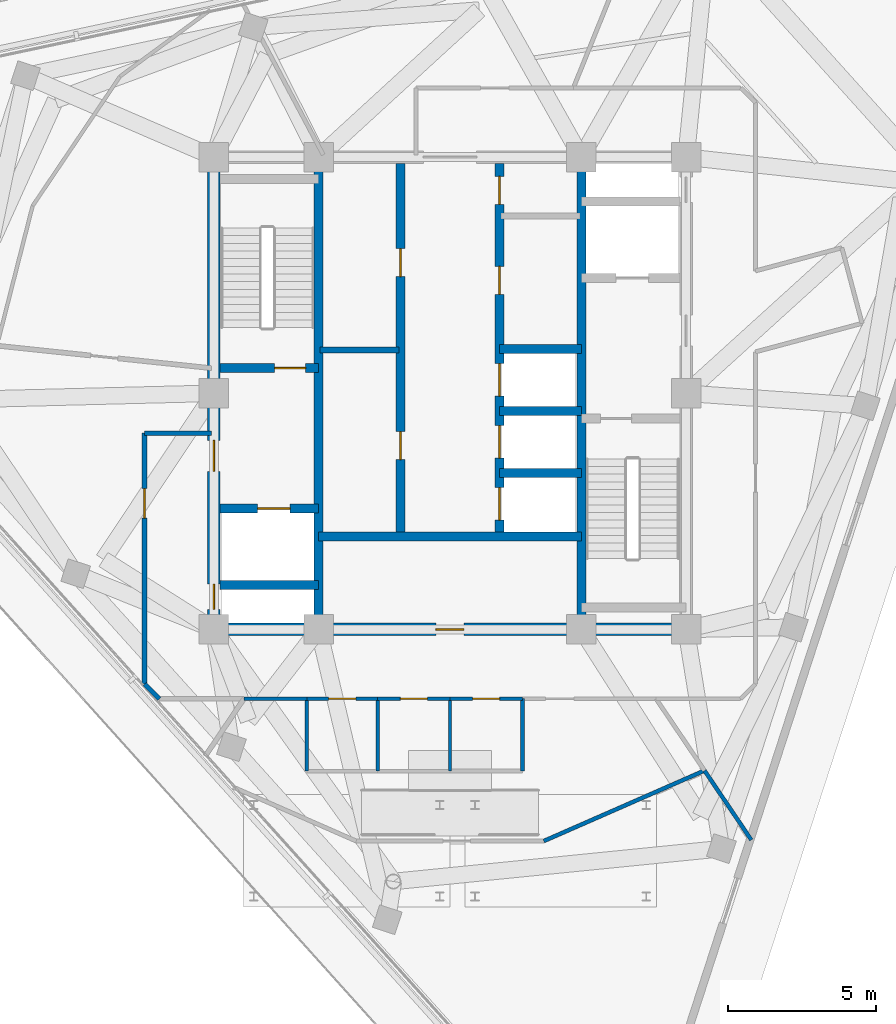
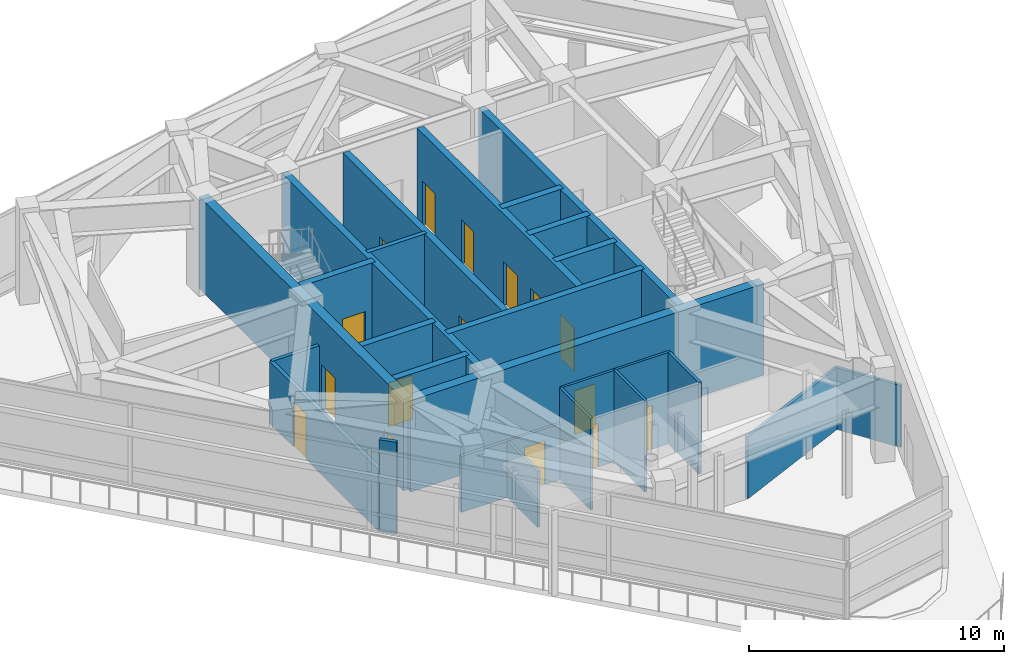
# One storey, part 9 of 15: 27 walls, 16 doors, 16 openings.
"""IFC4 building model written with IfcOpenShell, lengths in metres."""

import ifcopenshell
import ifcopenshell.guid

model = None  # the IFC model being written
_history = None  # IfcOwnerHistory: only IFC2X3 demands one
_inside = {}  # id of a spatial element -> (the spatial element, [elements in it])
_under = {}  # id of a project, library or spatial element -> (it, [spatial elements below it])
_declared = {}  # id of a project -> (the project, [libraries it declares])
_typed = {}  # id of a type object -> (the type object, [elements of that type])
_made_of = {}  # id of a material, layer set ... -> (it, [elements and type objects made of it])


def new_model(schema):
    """Start an empty IFC model of exactly this schema.

    Asked for "IFC4X3", IfcOpenShell would pick the latest addendum, in which some entities
    have other attributes; the version numbers below select the first issue.
    IFC2X3 requires an IfcOwnerHistory on every rooted entity: one is made here for all.
    """
    global model, _history
    if schema == "IFC4X3":
        model = ifcopenshell.file(schema_version=(4, 3, 0, 0))
    else:
        model = ifcopenshell.file(schema=schema)
    _inside.clear()
    _under.clear()
    _declared.clear()
    _typed.clear()
    _made_of.clear()
    _history = None
    if model.schema == "IFC2X3":
        org = make("IfcOrganization", Name="unknown")
        user = make(
            "IfcPersonAndOrganization",
            ThePerson=make("IfcPerson", FamilyName="unknown"),
            TheOrganization=org,
        )
        app = make(
            "IfcApplication",
            ApplicationDeveloper=org,
            Version="unknown",
            ApplicationFullName="unknown",
            ApplicationIdentifier="unknown",
        )
        _history = make(
            "IfcOwnerHistory",
            OwningUser=user,
            OwningApplication=app,
            ChangeAction="ADDED",
            CreationDate=0,
        )
    return model


def make(cls, **values):
    """One entity of the class cls with the attributes given. An attribute that is None is left unset."""
    return model.create_entity(
        cls, **{name: value for name, value in values.items() if value is not None}
    )


def rooted(cls, **values):
    """An entity with a GlobalId (a new one), such as an element, a storey or a relation."""
    return make(cls, GlobalId=ifcopenshell.guid.new(), OwnerHistory=_history, **values)


def si_unit(unit_type, name, prefix=None):
    """IfcSIUnit, for example si_unit("LENGTHUNIT", "METRE", prefix="MILLI")."""
    return make("IfcSIUnit", UnitType=unit_type, Prefix=prefix, Name=name)


def assignment(units):
    """IfcUnitAssignment: the units of a project."""
    return None if units is None else make("IfcUnitAssignment", Units=units)


def point(xyz):
    """IfcCartesianPoint."""
    return None if xyz is None else make("IfcCartesianPoint", Coordinates=xyz)


def direction(xyz):
    """IfcDirection."""
    return None if xyz is None else make("IfcDirection", DirectionRatios=xyz)


def frame(location, z_axis=None, x_axis=None):
    """IfcAxis2Placement3D, a coordinate frame: its origin and axes. An axis left out is left unset."""
    return make(
        "IfcAxis2Placement3D",
        Location=point(location),
        Axis=direction(z_axis),
        RefDirection=direction(x_axis),
    )


def frame_2d(location, x_axis=None):
    """IfcAxis2Placement2D, a coordinate frame in the plane: its origin and x axis."""
    return make(
        "IfcAxis2Placement2D", Location=point(location), RefDirection=direction(x_axis)
    )


def origin():
    """The frame at (0, 0, 0) with its axes left unset."""
    return frame((0.0, 0.0, 0.0))


def place(relative_to, where):
    """IfcLocalPlacement: puts the frame where relative to a parent placement (None: the world)."""
    return make(
        "IfcLocalPlacement", PlacementRelTo=relative_to, RelativePlacement=where
    )


def context(
    kind, dimensions, precision=None, world=None, true_north=None, identifier=None
):
    """IfcGeometricRepresentationContext, for example the 3D "Model" context."""
    return make(
        "IfcGeometricRepresentationContext",
        ContextIdentifier=identifier,
        ContextType=kind,
        CoordinateSpaceDimension=dimensions,
        Precision=precision,
        WorldCoordinateSystem=world,
        TrueNorth=true_north,
    )


def subcontext(parent, identifier, kind, view, scale=None):
    """IfcGeometricRepresentationSubContext, for example "Body" below "Model"."""
    return make(
        "IfcGeometricRepresentationSubContext",
        ContextIdentifier=identifier,
        ContextType=kind,
        ParentContext=parent,
        TargetScale=scale,
        TargetView=view,
    )


def project(units=None, contexts=None):
    """IfcProject with its units and contexts."""
    return rooted(
        "IfcProject",
        Name="project",
        RepresentationContexts=contexts,
        UnitsInContext=assignment(units),
    )


def spatial(cls, under=None, at=None, **own):
    """A site, building, storey or space (cls), placed at a placement, below another one or the project."""
    s = rooted(cls, ObjectPlacement=at, **own)
    if under is not None:
        _under.setdefault(under.id(), (under, []))[1].append(s)
    return s


def profile(cls, at=None, kind="AREA", **sizes):
    """A parametric profile (cls). Its sizes go by their IFC names, for example OverallWidth=200.0."""
    return make(cls, ProfileType=kind, Position=at, **sizes)


def rectangle(**sizes):
    """IfcRectangleProfileDef."""
    return profile("IfcRectangleProfileDef", **sizes)


def extrude(swept, where, along, depth):
    """IfcExtrudedAreaSolid: the profile swept, set in the frame where, extruded along a direction by depth."""
    return make(
        "IfcExtrudedAreaSolid",
        SweptArea=swept,
        Position=where,
        ExtrudedDirection=direction(along),
        Depth=depth,
    )


def shape(context_of_items, identifier, shape_type, items):
    """IfcShapeRepresentation: the items that make up one representation, for example the "Body"."""
    return make(
        "IfcShapeRepresentation",
        ContextOfItems=context_of_items,
        RepresentationIdentifier=identifier,
        RepresentationType=shape_type,
        Items=items,
    )


def material(Name=None, Category=None):
    """IfcMaterial."""
    return make("IfcMaterial", Name=Name, Category=Category)


def layer(
    of_material, thickness, ventilated=None, Name=None, Category=None, Priority=None
):
    """IfcMaterialLayer: one layer of a wall or slab, of a material (None: an air gap)."""
    return make(
        "IfcMaterialLayer",
        Material=of_material,
        LayerThickness=thickness,
        IsVentilated=ventilated,
        Name=Name,
        Category=Category,
        Priority=Priority,
    )


def layer_set(layers, Name=None):
    """IfcMaterialLayerSet."""
    return make("IfcMaterialLayerSet", MaterialLayers=layers, LayerSetName=Name)


def made_of(thing, what):
    """Note that an element or type object is made of a material, layer set ...; save() writes the relation."""
    if what is not None:
        _made_of.setdefault(what.id(), (what, []))[1].append(thing)
    return thing


def type_object(cls, material=None, **own):
    """A type object (cls), such as IfcWallType, which elements share."""
    return made_of(rooted(cls, **own), material)


def element(
    cls,
    number,
    at=None,
    inside=None,
    cuts=None,
    type_object=None,
    material=None,
    context=None,
    identifier="Body",
    shape_type=None,
    held_by="IfcProductDefinitionShape",
    body=None,
    shapes=None,
    **own,
):
    """One element of the class cls, such as IfcWall. Its Tag is "e" and its number.

    at: its placement. inside: the storey or other place that contains it. cuts: it is an
    opening in that element (IfcRelVoidsElement). A single representation is given by context,
    identifier, shape_type and body (its items); several are given by shapes. held_by: the class
    of the entity that holds the representations. save() writes the other relations.
    """
    e = rooted(cls, Tag="e%d" % number, ObjectPlacement=at, **own)
    if body is not None:
        shapes = [shape(context, identifier, shape_type, body)]
    if shapes is not None:
        e.Representation = make(held_by, Representations=shapes)
    if inside is not None:
        _inside.setdefault(inside.id(), (inside, []))[1].append(e)
    if cuts is not None:
        rooted(
            "IfcRelVoidsElement", RelatingBuildingElement=cuts, RelatedOpeningElement=e
        )
    if type_object is not None:
        _typed.setdefault(type_object.id(), (type_object, []))[1].append(e)
    return made_of(e, material)


def fill(opening, filler):
    """IfcRelFillsElement: the door or window that sits in an opening."""
    return rooted(
        "IfcRelFillsElement",
        RelatingOpeningElement=opening,
        RelatedBuildingElement=filler,
    )


def aggregate(whole, parts):
    """IfcRelAggregates: a whole, such as a stair, and the parts it consists of."""
    return rooted("IfcRelAggregates", RelatingObject=whole, RelatedObjects=parts)


def save(model, path):
    """Write the relations noted so far, then the file.

    IfcRelAggregates (storeys below a building ...), IfcRelContainedInSpatialStructure (elements
    in a storey), IfcRelDefinesByType, IfcRelAssociatesMaterial and IfcRelDeclares: one each for
    every whole, place, type object, material and project.
    """
    for whole, parts in _under.values():
        aggregate(whole, parts)
    for where, things in _inside.values():
        rooted(
            "IfcRelContainedInSpatialStructure",
            RelatedElements=things,
            RelatingStructure=where,
        )
    for kind, things in _typed.values():
        rooted("IfcRelDefinesByType", RelatedObjects=things, RelatingType=kind)
    for what, things in _made_of.values():
        rooted("IfcRelAssociatesMaterial", RelatedObjects=things, RelatingMaterial=what)
    for by, libraries in _declared.values():
        rooted("IfcRelDeclares", RelatingContext=by, RelatedDefinitions=libraries)
    model.write(path)


model = new_model("IFC4")

# Units and contexts
model_context = context("Model", 3, precision=1e-05, world=origin(), true_north=direction((0.0, 1.0)))
body_context = subcontext(model_context, "Body", "Model", "MODEL_VIEW")
ifc_project = project(units=[si_unit("LENGTHUNIT", "METRE"), si_unit("AREAUNIT", "SQUARE_METRE"), si_unit("VOLUMEUNIT", "CUBIC_METRE"), si_unit("PLANEANGLEUNIT", "RADIAN"), si_unit("MASSUNIT", "GRAM", prefix="KILO")], contexts=[model_context])

# Site, building, storey
site_placement = place(None, origin())
site = spatial("IfcSite", under=ifc_project, at=site_placement, CompositionType="ELEMENT")
building_placement = place(site_placement, origin())
building = spatial("IfcBuilding", under=site, at=building_placement, Name="Terralouvre Media Tower", CompositionType="ELEMENT")
storey_placement = place(building_placement, frame((0.0, 0.0, 312.800048828125)))
storey = spatial("IfcBuildingStorey", under=building, at=storey_placement, Name="L81", CompositionType="ELEMENT", Elevation=312.800048828125)

# Walls
ifc_material_1 = material(Name="Concrete C50/60", Category="concrete")
ifc_layer_1 = layer(ifc_material_1, 0.300048828125, Name="Core Internal Shaft Wall CW-300")
ifc_layer_set_1 = layer_set([ifc_layer_1], Name="Concrete C50/60")
wall_type_1 = type_object("IfcWallType", Name="Core Internal Shaft Wall CW-300", PredefinedType="SHEAR", material=ifc_layer_set_1)
for number, where, z_axis, x_axis, name in (
    (1, (-4.449951171875, -7.7900390625, 0.0), (0.0, 0.0, 1.0), (0.0, 1.0, 0.0), "L81 Core Shaft Wall SPW"),
    (2, (4.449951171875, -7.7900390625, 0.0), (0.0, 0.0, 1.0), (0.0, 1.0, 0.0), "L81 Core Shaft Wall SPE"),
):
    element("IfcWall", number, at=place(storey_placement, frame(where, z_axis=z_axis, x_axis=x_axis)), inside=storey, type_object=wall_type_1, Name=name, PredefinedType="SHEAR", context=body_context, shape_type="SweptSolid", body=[
        extrude(rectangle(XDim=15.580078125, YDim=0.300048828125, at=frame_2d((7.7900390625, 0.0))), origin(), (0.0, 0.0, 1.0), 4.3798828125),
    ])

# Wall, opening, door
wall_1_placement = place(storey_placement, frame((-7.7900390625, 0.85009765625, 0.0), z_axis=(0.0, 0.0, 1.0), x_axis=(1.0, 0.0, 0.0)))
wall_1 = element("IfcWall", 3, at=wall_1_placement, inside=storey, type_object=wall_type_1, Name="L81 Core Shaft Wall ST1D", PredefinedType="SHEAR", context=body_context, shape_type="SweptSolid", body=[
    extrude(rectangle(XDim=3.340087890625, YDim=0.300048828125, at=frame_2d((1.669921875, 0.0))), origin(), (0.0, 0.0, 1.0), 4.3798828125),
])
opening_1_placement = place(wall_1_placement, frame((1.85009765625, 0.0, 0.0)))
opening_1 = element("IfcOpeningElement", 4, at=opening_1_placement, cuts=wall_1, Name="Opening FD-01-105X215", PredefinedType="OPENING", context=body_context, shape_type="SweptSolid", body=[
    extrude(rectangle(XDim=1.050048828125, YDim=2.14990234375, at=frame_2d((0.52490234375, 1.074951171875))), frame((0.0, 0.159912109375, 0.0), z_axis=(0.0, -1.0, 0.0), x_axis=(1.0, 0.0, 0.0)), (0.0, 0.0, 1.0), 0.320068359375),
])
ifc_material_2 = material(Name="Galvanised steel fire-resisting leaf", Category="steel")
door_type_1 = type_object("IfcDoorType", Name="Stair and Firefighting Lobby Fire Door FD-01 (1050x2150)", OperationType="NOTDEFINED", PredefinedType="DOOR", material=ifc_material_2)
door_1_placement = place(opening_1_placement, origin())
door_1 = element("IfcDoor", 5, at=door_1_placement, inside=storey, type_object=door_type_1, Name="L81 ST-01 Exit Stair Door", OperationType="SINGLE_SWING_LEFT", OverallHeight=2.14990234375, OverallWidth=1.050048828125, PredefinedType="DOOR", context=body_context, shape_type="SweptSolid", body=[
    extrude(rectangle(XDim=1.050048828125, YDim=2.14990234375, at=frame_2d((0.52490234375, 1.074951171875))), frame((0.0, 0.02490234375, 0.0), z_axis=(0.0, -1.0, 0.0), x_axis=(1.0, 0.0, 0.0)), (0.0, 0.0, 1.0), 0.050048828125),
])
fill(opening_1, door_1)

wall_2_placement = place(storey_placement, frame((-7.7900390625, -3.89990234375, 0.0), z_axis=(0.0, 0.0, 1.0), x_axis=(1.0, 0.0, 0.0)))
wall_2 = element("IfcWall", 6, at=wall_2_placement, inside=storey, type_object=wall_type_1, Name="L81 Core Shaft Wall FF1N", PredefinedType="SHEAR", context=body_context, shape_type="SweptSolid", body=[
    extrude(rectangle(XDim=3.340087890625, YDim=0.300048828125, at=frame_2d((1.669921875, 0.0))), origin(), (0.0, 0.0, 1.0), 4.3798828125),
])
opening_2_placement = place(wall_2_placement, frame((1.27001953125, 0.0, 0.0)))
opening_2 = element("IfcOpeningElement", 7, at=opening_2_placement, cuts=wall_2, Name="Opening LD-FF", PredefinedType="OPENING", context=body_context, shape_type="SweptSolid", body=[
    extrude(rectangle(XDim=1.10009765625, YDim=2.10009765625, at=frame_2d((0.550048828125, 1.050048828125))), frame((0.0, 0.159912109375, 0.0), z_axis=(0.0, -1.0, 0.0), x_axis=(1.0, 0.0, 0.0)), (0.0, 0.0, 1.0), 0.320068359375),
])
ifc_material_3 = material(Name="Stainless steel 316 handrail and balustrade", Category="steel")
door_type_2 = type_object("IfcDoorType", Name="Firefighting Lift Sliding Landing Door LD-FF", OperationType="SLIDING_TO_LEFT", PredefinedType="DOOR", material=ifc_material_3)
door_2_placement = place(opening_2_placement, origin())
door_2 = element("IfcDoor", 8, at=door_2_placement, inside=storey, type_object=door_type_2, Name="L81 Firefighting Lift FFL-01 Landing Door", OperationType="SLIDING_TO_LEFT", OverallHeight=2.10009765625, OverallWidth=1.10009765625, PredefinedType="DOOR", context=body_context, shape_type="SweptSolid", body=[
    extrude(rectangle(XDim=1.10009765625, YDim=2.10009765625, at=frame_2d((0.550048828125, 1.050048828125))), frame((0.0, 0.02490234375, 0.0), z_axis=(0.0, -1.0, 0.0), x_axis=(1.0, 0.0, 0.0)), (0.0, 0.0, 1.0), 0.050048828125),
])
fill(opening_2, door_2)

# Walls
wall_3_placement = place(storey_placement, frame((-7.7900390625, -6.5, 0.0), z_axis=(0.0, 0.0, 1.0), x_axis=(1.0, 0.0, 0.0)))
element("IfcWall", 9, at=wall_3_placement, inside=storey, type_object=wall_type_1, Name="L81 Core Shaft Wall FF1S", PredefinedType="SHEAR", context=body_context, shape_type="SweptSolid", body=[
    extrude(rectangle(XDim=3.340087890625, YDim=0.300048828125, at=frame_2d((1.669921875, 0.0))), origin(), (0.0, 0.0, 1.0), 4.3798828125),
])
wall_4_placement = place(storey_placement, frame((-4.449951171875, -4.85009765625, 0.0), z_axis=(0.0, 0.0, 1.0), x_axis=(1.0, 0.0, 0.0)))
element("IfcWall", 10, at=wall_4_placement, inside=storey, type_object=wall_type_1, Name="L81 Core Shaft Wall CSBN", PredefinedType="SHEAR", context=body_context, shape_type="SweptSolid", body=[
    extrude(rectangle(XDim=8.89990234375, YDim=0.300048828125, at=frame_2d((4.449951171875, 0.0))), origin(), (0.0, 0.0, 1.0), 4.3798828125),
])

# Wall, openings, doors
wall_5_placement = place(storey_placement, frame((-1.679931640625, -4.85009765625, 0.0), z_axis=(0.0, 0.0, 1.0), x_axis=(0.0, 1.0, 0.0)))
wall_5 = element("IfcWall", 11, at=wall_5_placement, inside=storey, type_object=wall_type_1, Name="L81 Core Shaft Wall LBW", PredefinedType="SHEAR", context=body_context, shape_type="SweptSolid", body=[
    extrude(rectangle(XDim=12.64013671875, YDim=0.300048828125, at=frame_2d((6.320068359375, 0.0))), origin(), (0.0, 0.0, 1.0), 4.3798828125),
])
opening_3_placement = place(wall_5_placement, frame((2.60009765625, 0.0, 0.0)))
opening_3 = element("IfcOpeningElement", 12, at=opening_3_placement, cuts=wall_5, Name="Opening FD-02-95X210", PredefinedType="OPENING", context=body_context, shape_type="SweptSolid", body=[
    extrude(rectangle(XDim=0.949951171875, YDim=2.10009765625, at=frame_2d((0.47509765625, 1.050048828125))), frame((0.0, 0.159912109375, 0.0), z_axis=(0.0, -1.0, 0.0), x_axis=(1.0, 0.0, 0.0)), (0.0, 0.0, 1.0), 0.320068359375),
])
opening_4_placement = place(wall_5_placement, frame((8.800048828125, 0.0, 0.0)))
opening_4 = element("IfcOpeningElement", 13, at=opening_4_placement, cuts=wall_5, Name="Opening FD-04-95X210", PredefinedType="OPENING", context=body_context, shape_type="SweptSolid", body=[
    extrude(rectangle(XDim=0.949951171875, YDim=2.10009765625, at=frame_2d((0.47509765625, 1.050048828125))), frame((0.0, 0.159912109375, 0.0), z_axis=(0.0, -1.0, 0.0), x_axis=(1.0, 0.0, 0.0)), (0.0, 0.0, 1.0), 0.320068359375),
])
ifc_material_4 = material(Name="Galvanised steel fire-resisting leaf", Category="steel")
door_type_3 = type_object("IfcDoorType", Name="Core Store and Service Fire Door FD-04 (950x2100)", OperationType="NOTDEFINED", PredefinedType="DOOR", material=ifc_material_4)
door_3_placement = place(opening_4_placement, origin())
door_3 = element("IfcDoor", 14, at=door_3_placement, inside=storey, type_object=door_type_3, Name="L81 Core Linen Store Door", OperationType="SINGLE_SWING_RIGHT", OverallHeight=2.10009765625, OverallWidth=0.949951171875, PredefinedType="DOOR", context=body_context, shape_type="SweptSolid", body=[
    extrude(rectangle(XDim=0.949951171875, YDim=2.10009765625, at=frame_2d((0.47509765625, 1.050048828125))), frame((0.0, 0.02490234375, 0.0), z_axis=(0.0, -1.0, 0.0), x_axis=(1.0, 0.0, 0.0)), (0.0, 0.0, 1.0), 0.050048828125),
])
fill(opening_4, door_3)
ifc_material_5 = material(Name="Galvanised steel fire-resisting leaf", Category="steel")
door_type_4 = type_object("IfcDoorType", Name="Plant and Riser Fire Door FD-02 (950x2100)", OperationType="NOTDEFINED", PredefinedType="DOOR", material=ifc_material_5)
door_4_placement = place(opening_3_placement, origin())
door_4 = element("IfcDoor", 15, at=door_4_placement, inside=storey, type_object=door_type_4, Name="L81 Core Fibre Patch Plant Door", OperationType="SINGLE_SWING_LEFT", OverallHeight=2.10009765625, OverallWidth=0.949951171875, PredefinedType="DOOR", context=body_context, shape_type="SweptSolid", body=[
    extrude(rectangle(XDim=0.949951171875, YDim=2.10009765625, at=frame_2d((0.47509765625, 1.050048828125))), frame((0.0, 0.02490234375, 0.0), z_axis=(0.0, -1.0, 0.0), x_axis=(1.0, 0.0, 0.0)), (0.0, 0.0, 1.0), 0.050048828125),
])
fill(opening_3, door_4)

wall_6_placement = place(storey_placement, frame((1.679931640625, -4.85009765625, 0.0), z_axis=(0.0, 0.0, 1.0), x_axis=(0.0, 1.0, 0.0)))
wall_6 = element("IfcWall", 16, at=wall_6_placement, inside=storey, type_object=wall_type_1, Name="L81 Core Shaft Wall LBE", PredefinedType="SHEAR", context=body_context, shape_type="SweptSolid", body=[
    extrude(rectangle(XDim=12.64013671875, YDim=0.300048828125, at=frame_2d((6.320068359375, 0.0))), origin(), (0.0, 0.0, 1.0), 4.3798828125),
])
opening_5_placement = place(wall_6_placement, frame((0.550048828125, 0.0, 0.0)))
opening_5 = element("IfcOpeningElement", 17, at=opening_5_placement, cuts=wall_6, Name="Opening LD-PL", PredefinedType="OPENING", context=body_context, shape_type="SweptSolid", body=[
    extrude(rectangle(XDim=1.10009765625, YDim=2.10009765625, at=frame_2d((0.550048828125, 1.050048828125))), frame((0.0, 0.159912109375, 0.0), z_axis=(0.0, -1.0, 0.0), x_axis=(1.0, 0.0, 0.0)), (0.0, 0.0, 1.0), 0.320068359375),
])
opening_6_placement = place(wall_6_placement, frame((2.64990234375, 0.0, 0.0)))
opening_6 = element("IfcOpeningElement", 18, at=opening_6_placement, cuts=wall_6, Name="Opening LD-PL", PredefinedType="OPENING", context=body_context, shape_type="SweptSolid", body=[
    extrude(rectangle(XDim=1.10009765625, YDim=2.10009765625, at=frame_2d((0.550048828125, 1.050048828125))), frame((0.0, 0.159912109375, 0.0), z_axis=(0.0, -1.0, 0.0), x_axis=(1.0, 0.0, 0.0)), (0.0, 0.0, 1.0), 0.320068359375),
])
opening_7_placement = place(wall_6_placement, frame((4.75, 0.0, 0.0)))
opening_7 = element("IfcOpeningElement", 19, at=opening_7_placement, cuts=wall_6, Name="Opening LD-PL", PredefinedType="OPENING", context=body_context, shape_type="SweptSolid", body=[
    extrude(rectangle(XDim=1.10009765625, YDim=2.10009765625, at=frame_2d((0.550048828125, 1.050048828125))), frame((0.0, 0.159912109375, 0.0), z_axis=(0.0, -1.0, 0.0), x_axis=(1.0, 0.0, 0.0)), (0.0, 0.0, 1.0), 0.320068359375),
])
opening_8_placement = place(wall_6_placement, frame((8.199951171875, 0.0, 0.0)))
opening_8 = element("IfcOpeningElement", 20, at=opening_8_placement, cuts=wall_6, Name="Opening FD-02-95X210", PredefinedType="OPENING", context=body_context, shape_type="SweptSolid", body=[
    extrude(rectangle(XDim=0.949951171875, YDim=2.10009765625, at=frame_2d((0.47509765625, 1.050048828125))), frame((0.0, 0.159912109375, 0.0), z_axis=(0.0, -1.0, 0.0), x_axis=(1.0, 0.0, 0.0)), (0.0, 0.0, 1.0), 0.320068359375),
])
opening_9_placement = place(wall_6_placement, frame((11.25, 0.0, 0.0)))
opening_9 = element("IfcOpeningElement", 21, at=opening_9_placement, cuts=wall_6, Name="Opening SD-02", PredefinedType="OPENING", context=body_context, shape_type="SweptSolid", body=[
    extrude(rectangle(XDim=0.949951171875, YDim=2.10009765625, at=frame_2d((0.47509765625, 1.050048828125))), frame((0.0, 0.159912109375, 0.0), z_axis=(0.0, -1.0, 0.0), x_axis=(1.0, 0.0, 0.0)), (0.0, 0.0, 1.0), 0.320068359375),
])
ifc_material_6 = material(Name="Galvanised steel fire-resisting leaf", Category="steel")
door_type_5 = type_object("IfcDoorType", Name="Core Service Sliding Fire Door SD-02", OperationType="SLIDING_TO_LEFT", PredefinedType="DOOR", material=ifc_material_6)
door_5_placement = place(opening_9_placement, origin())
door_5 = element("IfcDoor", 22, at=door_5_placement, inside=storey, type_object=door_type_5, Name="L81 Core Hospitality Store Door", OperationType="SLIDING_TO_LEFT", OverallHeight=2.10009765625, OverallWidth=0.949951171875, PredefinedType="DOOR", context=body_context, shape_type="SweptSolid", body=[
    extrude(rectangle(XDim=0.949951171875, YDim=2.10009765625, at=frame_2d((0.47509765625, 1.050048828125))), frame((0.0, 0.02490234375, 0.0), z_axis=(0.0, -1.0, 0.0), x_axis=(1.0, 0.0, 0.0)), (0.0, 0.0, 1.0), 0.050048828125),
])
fill(opening_9, door_5)
ifc_material_7 = material(Name="Stainless steel 316 handrail and balustrade", Category="steel")
door_type_6 = type_object("IfcDoorType", Name="Passenger Lift Sliding Landing Door LD-PL", OperationType="SLIDING_TO_LEFT", PredefinedType="DOOR", material=ifc_material_7)
door_6_placement = place(opening_5_placement, origin())
door_6 = element("IfcDoor", 23, at=door_6_placement, inside=storey, type_object=door_type_6, Name="L81 High-Rise Lift PL-H1 Landing Door", OperationType="SLIDING_TO_LEFT", OverallHeight=2.10009765625, OverallWidth=1.10009765625, PredefinedType="DOOR", context=body_context, shape_type="SweptSolid", body=[
    extrude(rectangle(XDim=1.10009765625, YDim=2.10009765625, at=frame_2d((0.550048828125, 1.050048828125))), frame((0.0, 0.02490234375, 0.0), z_axis=(0.0, -1.0, 0.0), x_axis=(1.0, 0.0, 0.0)), (0.0, 0.0, 1.0), 0.050048828125),
])
fill(opening_5, door_6)
door_7_placement = place(opening_6_placement, origin())
door_7 = element("IfcDoor", 24, at=door_7_placement, inside=storey, type_object=door_type_6, Name="L81 High-Rise Lift PL-H2 Landing Door", OperationType="SLIDING_TO_LEFT", OverallHeight=2.10009765625, OverallWidth=1.10009765625, PredefinedType="DOOR", context=body_context, shape_type="SweptSolid", body=[
    extrude(rectangle(XDim=1.10009765625, YDim=2.10009765625, at=frame_2d((0.550048828125, 1.050048828125))), frame((0.0, 0.02490234375, 0.0), z_axis=(0.0, -1.0, 0.0), x_axis=(1.0, 0.0, 0.0)), (0.0, 0.0, 1.0), 0.050048828125),
])
fill(opening_6, door_7)
door_8_placement = place(opening_7_placement, origin())
door_8 = element("IfcDoor", 25, at=door_8_placement, inside=storey, type_object=door_type_6, Name="L81 High-Rise Lift PL-H3 Landing Door", OperationType="SLIDING_TO_LEFT", OverallHeight=2.10009765625, OverallWidth=1.10009765625, PredefinedType="DOOR", context=body_context, shape_type="SweptSolid", body=[
    extrude(rectangle(XDim=1.10009765625, YDim=2.10009765625, at=frame_2d((0.550048828125, 1.050048828125))), frame((0.0, 0.02490234375, 0.0), z_axis=(0.0, -1.0, 0.0), x_axis=(1.0, 0.0, 0.0)), (0.0, 0.0, 1.0), 0.050048828125),
])
fill(opening_7, door_8)
door_9_placement = place(opening_8_placement, origin())
door_9 = element("IfcDoor", 26, at=door_9_placement, inside=storey, type_object=door_type_4, Name="L81 Core Telemetry Plant Door", OperationType="SINGLE_SWING_RIGHT", OverallHeight=2.10009765625, OverallWidth=0.949951171875, PredefinedType="DOOR", context=body_context, shape_type="SweptSolid", body=[
    extrude(rectangle(XDim=0.949951171875, YDim=2.10009765625, at=frame_2d((0.47509765625, 1.050048828125))), frame((0.0, 0.02490234375, 0.0), z_axis=(0.0, -1.0, 0.0), x_axis=(1.0, 0.0, 0.0)), (0.0, 0.0, 1.0), 0.050048828125),
])
fill(opening_8, door_9)

# Walls
for number, where, z_axis, x_axis, name in (
    (27, (1.679931640625, 1.5, 0.0), (0.0, 0.0, 1.0), (1.0, 0.0, 0.0), "L81 Core Shaft Wall PLMBOT"),
    (28, (1.679931640625, -2.699951171875, 0.0), (0.0, 0.0, 1.0), (1.0, 0.0, 0.0), "L81 Core Shaft Wall PLHD1"),
    (29, (1.679931640625, -0.60009765625, 0.0), (0.0, 0.0, 1.0), (1.0, 0.0, 0.0), "L81 Core Shaft Wall PLHD2"),
):
    element("IfcWall", number, at=place(storey_placement, frame(where, z_axis=z_axis, x_axis=x_axis)), inside=storey, type_object=wall_type_1, Name=name, PredefinedType="SHEAR", context=body_context, shape_type="SweptSolid", body=[
        extrude(rectangle(XDim=2.77001953125, YDim=0.300048828125, at=frame_2d((1.385009765625, 0.0))), origin(), (0.0, 0.0, 1.0), 4.3798828125),
    ])

# Wall, openings, doors
ifc_material_8 = material(Name="Concrete C60/75", Category="concrete")
ifc_layer_2 = layer(ifc_material_8, 0.419921875, Name="Core Reinforced Concrete Shear Wall CW-420")
ifc_layer_set_2 = layer_set([ifc_layer_2], Name="Concrete C60/75")
wall_type_2 = type_object("IfcWallType", Name="Core Reinforced Concrete Shear Wall CW-420", PredefinedType="SHEAR", material=ifc_layer_set_2)
wall_7_placement = place(storey_placement, frame((-8.0, -8.0, 0.0), z_axis=(0.0, 0.0, 1.0), x_axis=(0.0, 1.0, 0.0)))
wall_7 = element("IfcWall", 30, at=wall_7_placement, inside=storey, type_object=wall_type_2, Name="L81 W Core Shear Wall", PredefinedType="SHEAR", context=body_context, shape_type="SweptSolid", body=[
    extrude(rectangle(XDim=16.0, YDim=0.419921875, at=frame_2d((8.0, 0.0))), origin(), (0.0, 0.0, 1.0), 4.3798828125),
])
opening_10_placement = place(wall_7_placement, frame((0.68115234375, 0.0, 0.0)))
opening_10 = element("IfcOpeningElement", 31, at=opening_10_placement, cuts=wall_7, Name="Opening TD-R1", PredefinedType="OPENING", context=body_context, shape_type="SweptSolid", body=[
    extrude(rectangle(XDim=0.85009765625, YDim=2.02001953125, at=frame_2d((0.425048828125, 1.010009765625))), frame((0.0, 0.219970703125, 0.0), z_axis=(0.0, -1.0, 0.0), x_axis=(1.0, 0.0, 0.0)), (0.0, 0.0, 1.0), 0.43994140625),
])
opening_11_placement = place(wall_7_placement, frame((5.35009765625, 0.0, 0.0)))
opening_11 = element("IfcOpeningElement", 32, at=opening_11_placement, cuts=wall_7, Name="Opening FD-01-105X215", PredefinedType="OPENING", context=body_context, shape_type="SweptSolid", body=[
    extrude(rectangle(XDim=1.050048828125, YDim=2.14990234375, at=frame_2d((0.52490234375, 1.074951171875))), frame((0.0, 0.219970703125, 0.0), z_axis=(0.0, -1.0, 0.0), x_axis=(1.0, 0.0, 0.0)), (0.0, 0.0, 1.0), 0.43994140625),
])
ifc_material_9 = material(Name="Galvanised steel fire-resisting leaf", Category="steel")
door_type_7 = type_object("IfcDoorType", Name="Riser Inspection Access Trapdoor TD-R1", OperationType="NOTDEFINED", PredefinedType="TRAPDOOR", material=ifc_material_9)
door_10_placement = place(opening_10_placement, origin())
door_10 = element("IfcDoor", 33, at=door_10_placement, inside=storey, type_object=door_type_7, Name="L81 Wet Riser Access Trapdoor", OperationType="SINGLE_SWING_LEFT", OverallHeight=2.02001953125, OverallWidth=0.85009765625, PredefinedType="TRAPDOOR", context=body_context, shape_type="SweptSolid", body=[
    extrude(rectangle(XDim=0.85009765625, YDim=2.02001953125, at=frame_2d((0.425048828125, 1.010009765625))), frame((0.0, 0.02490234375, 0.0), z_axis=(0.0, -1.0, 0.0), x_axis=(1.0, 0.0, 0.0)), (0.0, 0.0, 1.0), 0.050048828125),
])
fill(opening_10, door_10)
door_11_placement = place(opening_11_placement, origin())
door_11 = element("IfcDoor", 34, at=door_11_placement, inside=storey, type_object=door_type_1, Name="L81 West Firefighting Lobby Entry Door", OperationType="SINGLE_SWING_RIGHT", OverallHeight=2.14990234375, OverallWidth=1.050048828125, PredefinedType="DOOR", context=body_context, shape_type="SweptSolid", body=[
    extrude(rectangle(XDim=1.050048828125, YDim=2.14990234375, at=frame_2d((0.52490234375, 1.074951171875))), frame((0.0, 0.02490234375, 0.0), z_axis=(0.0, -1.0, 0.0), x_axis=(1.0, 0.0, 0.0)), (0.0, 0.0, 1.0), 0.050048828125),
])
fill(opening_11, door_11)

# Wall, opening, door
wall_8_placement = place(storey_placement, frame((-8.0, -8.0, 0.0), z_axis=(0.0, 0.0, 1.0), x_axis=(1.0, 0.0, 0.0)))
wall_8 = element("IfcWall", 35, at=wall_8_placement, inside=storey, type_object=wall_type_2, Name="L81 S Core Shear Wall", PredefinedType="SHEAR", context=body_context, shape_type="SweptSolid", body=[
    extrude(rectangle(XDim=16.0, YDim=0.419921875, at=frame_2d((8.0, 0.0))), origin(), (0.0, 0.0, 1.0), 4.3798828125),
])
opening_12_placement = place(wall_8_placement, frame((7.52001953125, 0.0, 0.0)))
opening_12 = element("IfcOpeningElement", 36, at=opening_12_placement, cuts=wall_8, Name="Opening FD-02-95X210", PredefinedType="OPENING", context=body_context, shape_type="SweptSolid", body=[
    extrude(rectangle(XDim=0.949951171875, YDim=2.10009765625, at=frame_2d((0.47509765625, 1.050048828125))), frame((0.0, 0.219970703125, 0.0), z_axis=(0.0, -1.0, 0.0), x_axis=(1.0, 0.0, 0.0)), (0.0, 0.0, 1.0), 0.43994140625),
])
door_12_placement = place(opening_12_placement, origin())
door_12 = element("IfcDoor", 37, at=door_12_placement, inside=storey, type_object=door_type_4, Name="L81 Core Switchgear Plant Door", OperationType="SINGLE_SWING_LEFT", OverallHeight=2.10009765625, OverallWidth=0.949951171875, PredefinedType="DOOR", context=body_context, shape_type="SweptSolid", body=[
    extrude(rectangle(XDim=0.949951171875, YDim=2.10009765625, at=frame_2d((0.47509765625, 1.050048828125))), frame((0.0, 0.02490234375, 0.0), z_axis=(0.0, -1.0, 0.0), x_axis=(1.0, 0.0, 0.0)), (0.0, 0.0, 1.0), 0.050048828125),
])
fill(opening_12, door_12)

# Walls
ifc_material_10 = material(Name="Fire-rated gypsum board drywall partition")
ifc_layer_3 = layer(ifc_material_10, 0.199951171875, Name="Fire-Rated Shaft and Lobby Partition FW-200")
ifc_layer_set_3 = layer_set([ifc_layer_3], Name="Fire-rated gypsum board drywall partition")
wall_type_3 = type_object("IfcWallType", Name="Fire-Rated Shaft and Lobby Partition FW-200", PredefinedType="SOLIDWALL", material=ifc_layer_set_3)
wall_9_placement = place(storey_placement, frame((-4.39990234375, 1.469970703125, 0.0), z_axis=(0.0, 0.0, 1.0), x_axis=(1.0, 0.0, 0.0)))
element("IfcWall", 38, at=wall_9_placement, inside=storey, type_object=wall_type_3, Name="L81 Core West Sub-Partition 1", PredefinedType="SOLIDWALL", context=body_context, shape_type="SweptSolid", body=[
    extrude(rectangle(XDim=2.679931640625, YDim=0.199951171875, at=frame_2d((1.33984375, 0.0))), origin(), (0.0, 0.0, 1.0), 4.3798828125),
])
ifc_material_11 = material(Name="Fire-rated gypsum board drywall partition")
ifc_layer_4 = layer(ifc_material_11, 0.135009765625, Name="Newsroom Acoustic Partition PT-135")
ifc_layer_set_4 = layer_set([ifc_layer_4], Name="Fire-rated gypsum board drywall partition")
wall_type_4 = type_object("IfcWallType", Name="Newsroom Acoustic Partition PT-135", PredefinedType="PARTITIONING", material=ifc_layer_set_4)
wall_10_placement = place(storey_placement, frame((-6.98095703125, -10.35009765625, 0.0), z_axis=(0.0, 0.0, 1.0), x_axis=(1.0, 0.0, 0.0)))
element("IfcWall", 39, at=wall_10_placement, inside=storey, type_object=wall_type_4, Name="L81 Interior Partition 016", PredefinedType="PARTITIONING", context=body_context, shape_type="SweptSolid", body=[
    extrude(rectangle(XDim=2.130859375, YDim=0.135009765625, at=frame_2d((1.0654296875, 0.0))), origin(), (0.0, 0.0, 1.0), 2.68505859375),
])
wall_11_placement = place(storey_placement, frame((8.623046875, -12.783935546875, 0.0), z_axis=(0.0, 0.0, 1.0), x_axis=(0.559203618421, -0.829030345129, 0.0)))
element("IfcWall", 40, at=wall_11_placement, inside=storey, type_object=wall_type_4, Name="L81 Interior Partition 022", PredefinedType="PARTITIONING", context=body_context, shape_type="SweptSolid", body=[
    extrude(rectangle(XDim=2.834716796875, YDim=0.135009765625, at=frame_2d((1.41748046875, 0.0))), origin(), (0.0, 0.0, 1.0), 2.96484375),
])
wall_12_placement = place(storey_placement, frame((2.449951171875, -10.35009765625, 0.0), z_axis=(0.0, 0.0, 1.0), x_axis=(0.0, -1.0, 0.0)))
element("IfcWall", 41, at=wall_12_placement, inside=storey, type_object=wall_type_4, Name="L81 Interior Partition 032", PredefinedType="PARTITIONING", context=body_context, shape_type="SweptSolid", body=[
    extrude(rectangle(XDim=2.449951171875, YDim=0.135009765625, at=frame_2d((1.22509765625, 0.0))), origin(), (0.0, 0.0, 1.0), 4.3798828125),
])
wall_13_placement = place(storey_placement, frame((3.178955078125, -15.1708984375, 0.0), z_axis=(0.0, 0.0, 1.0), x_axis=(0.915837499564, 0.401549093378, 0.0)))
element("IfcWall", 42, at=wall_13_placement, inside=storey, type_object=wall_type_4, Name="L81 Interior Partition 036", PredefinedType="PARTITIONING", context=body_context, shape_type="SweptSolid", body=[
    extrude(rectangle(XDim=5.9443359375, YDim=0.135009765625, at=frame_2d((2.97216796875, 0.0))), origin(), (0.0, 0.0, 1.0), 2.96484375),
])

# Wall, opening, door
ifc_material_12 = material(Name="Fire-rated gypsum board drywall partition")
ifc_layer_5 = layer(ifc_material_12, 0.114990234375, Name="Restroom and Pantry Partition PT-115")
ifc_layer_set_5 = layer_set([ifc_layer_5], Name="Fire-rated gypsum board drywall partition")
wall_type_5 = type_object("IfcWallType", Name="Restroom and Pantry Partition PT-115", PredefinedType="PARTITIONING", material=ifc_layer_set_5)
wall_14_placement = place(storey_placement, frame((-4.85009765625, -10.35009765625, 0.0), z_axis=(0.0, 0.0, 1.0), x_axis=(1.0, 0.0, 0.0)))
wall_14 = element("IfcWall", 43, at=wall_14_placement, inside=storey, type_object=wall_type_5, Name="L81 Interior Partition 014", PredefinedType="PARTITIONING", context=body_context, shape_type="SweptSolid", body=[
    extrude(rectangle(XDim=2.400146484375, YDim=0.114990234375, at=frame_2d((1.2001953125, 0.0))), origin(), (0.0, 0.0, 1.0), 2.68505859375),
])
opening_13_placement = place(wall_14_placement, frame((0.739990234375, 0.0, 0.0)))
opening_13 = element("IfcOpeningElement", 44, at=opening_13_placement, cuts=wall_14, Name="Opening ID-03-92X210", PredefinedType="OPENING", context=body_context, shape_type="SweptSolid", body=[
    extrude(rectangle(XDim=0.919921875, YDim=2.10009765625, at=frame_2d((0.4599609375, 1.050048828125))), frame((0.0, 0.0673828125, 0.0), z_axis=(0.0, -1.0, 0.0), x_axis=(1.0, 0.0, 0.0)), (0.0, 0.0, 1.0), 0.135009765625),
])
ifc_material_13 = material(Name="Engineered hardwood acoustic timber leaf", Category="wood")
door_type_8 = type_object("IfcDoorType", Name="Accessible Restroom and Suite Door ID-03 (920x2100)", OperationType="NOTDEFINED", PredefinedType="DOOR", material=ifc_material_13)
door_13_placement = place(opening_13_placement, origin())
door_13 = element("IfcDoor", 45, at=door_13_placement, inside=storey, type_object=door_type_8, Name="L81 Male Restroom WC Door", OperationType="SINGLE_SWING_RIGHT", OverallHeight=2.10009765625, OverallWidth=0.919921875, PredefinedType="DOOR", context=body_context, shape_type="SweptSolid", body=[
    extrude(rectangle(XDim=0.919921875, YDim=2.10009765625, at=frame_2d((0.4599609375, 1.050048828125))), frame((0.0, 0.02490234375, 0.0), z_axis=(0.0, -1.0, 0.0), x_axis=(1.0, 0.0, 0.0)), (0.0, 0.0, 1.0), 0.050048828125),
])
fill(opening_13, door_13)

wall_15_placement = place(storey_placement, frame((-2.449951171875, -10.35009765625, 0.0), z_axis=(0.0, 0.0, 1.0), x_axis=(1.0, 0.0, 0.0)))
wall_15 = element("IfcWall", 46, at=wall_15_placement, inside=storey, type_object=wall_type_5, Name="L81 Interior Partition 015", PredefinedType="PARTITIONING", context=body_context, shape_type="SweptSolid", body=[
    extrude(rectangle(XDim=2.449951171875, YDim=0.114990234375, at=frame_2d((1.22509765625, 0.0))), origin(), (0.0, 0.0, 1.0), 4.3798828125),
])
opening_14_placement = place(wall_15_placement, frame((0.764892578125, 0.0, 0.0)))
opening_14 = element("IfcOpeningElement", 47, at=opening_14_placement, cuts=wall_15, Name="Opening ID-03-92X210", PredefinedType="OPENING", context=body_context, shape_type="SweptSolid", body=[
    extrude(rectangle(XDim=0.919921875, YDim=2.10009765625, at=frame_2d((0.4599609375, 1.050048828125))), frame((0.0, 0.0673828125, 0.0), z_axis=(0.0, -1.0, 0.0), x_axis=(1.0, 0.0, 0.0)), (0.0, 0.0, 1.0), 0.135009765625),
])
door_14_placement = place(opening_14_placement, origin())
door_14 = element("IfcDoor", 48, at=door_14_placement, inside=storey, type_object=door_type_8, Name="L81 Female Restroom WC Door", OperationType="SINGLE_SWING_LEFT", OverallHeight=2.10009765625, OverallWidth=0.919921875, PredefinedType="DOOR", context=body_context, shape_type="SweptSolid", body=[
    extrude(rectangle(XDim=0.919921875, YDim=2.10009765625, at=frame_2d((0.4599609375, 1.050048828125))), frame((0.0, 0.02490234375, 0.0), z_axis=(0.0, -1.0, 0.0), x_axis=(1.0, 0.0, 0.0)), (0.0, 0.0, 1.0), 0.050048828125),
])
fill(opening_14, door_14)

wall_16_placement = place(storey_placement, frame((0.0, -10.35009765625, 0.0), z_axis=(0.0, 0.0, 1.0), x_axis=(1.0, 0.0, 0.0)))
wall_16 = element("IfcWall", 49, at=wall_16_placement, inside=storey, type_object=wall_type_5, Name="L81 Interior Partition 018", PredefinedType="PARTITIONING", context=body_context, shape_type="SweptSolid", body=[
    extrude(rectangle(XDim=2.449951171875, YDim=0.114990234375, at=frame_2d((1.22509765625, 0.0))), origin(), (0.0, 0.0, 1.0), 4.3798828125),
])
opening_15_placement = place(wall_16_placement, frame((0.764892578125, 0.0, 0.0)))
opening_15 = element("IfcOpeningElement", 50, at=opening_15_placement, cuts=wall_16, Name="Opening ID-03-92X210", PredefinedType="OPENING", context=body_context, shape_type="SweptSolid", body=[
    extrude(rectangle(XDim=0.919921875, YDim=2.10009765625, at=frame_2d((0.4599609375, 1.050048828125))), frame((0.0, 0.0673828125, 0.0), z_axis=(0.0, -1.0, 0.0), x_axis=(1.0, 0.0, 0.0)), (0.0, 0.0, 1.0), 0.135009765625),
])
door_15_placement = place(opening_15_placement, origin())
door_15 = element("IfcDoor", 51, at=door_15_placement, inside=storey, type_object=door_type_8, Name="L81 Accessible Unisex WC Door", OperationType="SINGLE_SWING_LEFT", OverallHeight=2.10009765625, OverallWidth=0.919921875, PredefinedType="DOOR", context=body_context, shape_type="SweptSolid", body=[
    extrude(rectangle(XDim=0.919921875, YDim=2.10009765625, at=frame_2d((0.4599609375, 1.050048828125))), frame((0.0, 0.02490234375, 0.0), z_axis=(0.0, -1.0, 0.0), x_axis=(1.0, 0.0, 0.0)), (0.0, 0.0, 1.0), 0.050048828125),
])
fill(opening_15, door_15)

# Walls
wall_17_placement = place(storey_placement, frame((-2.449951171875, -12.800048828125, 0.0), z_axis=(0.0, 0.0, 1.0), x_axis=(0.0, 1.0, 0.0)))
element("IfcWall", 52, at=wall_17_placement, inside=storey, type_object=wall_type_5, Name="L81 Interior Partition 027", PredefinedType="PARTITIONING", context=body_context, shape_type="SweptSolid", body=[
    extrude(rectangle(XDim=2.449951171875, YDim=0.114990234375, at=frame_2d((1.22509765625, 0.0))), origin(), (0.0, 0.0, 1.0), 4.3798828125),
])
wall_18_placement = place(storey_placement, frame((-4.85009765625, -10.35009765625, 0.0), z_axis=(0.0, 0.0, 1.0), x_axis=(0.0, -1.0, 0.0)))
element("IfcWall", 53, at=wall_18_placement, inside=storey, type_object=wall_type_5, Name="L81 Interior Partition 028", PredefinedType="PARTITIONING", context=body_context, shape_type="SweptSolid", body=[
    extrude(rectangle(XDim=2.449951171875, YDim=0.114990234375, at=frame_2d((1.22509765625, 0.0))), origin(), (0.0, 0.0, 1.0), 2.68505859375),
])
wall_19_placement = place(storey_placement, frame((0.0, -12.800048828125, 0.0), z_axis=(0.0, 0.0, 1.0), x_axis=(0.0, 1.0, 0.0)))
element("IfcWall", 54, at=wall_19_placement, inside=storey, type_object=wall_type_5, Name="L81 Interior Partition 031", PredefinedType="PARTITIONING", context=body_context, shape_type="SweptSolid", body=[
    extrude(rectangle(XDim=2.449951171875, YDim=0.114990234375, at=frame_2d((1.22509765625, 0.0))), origin(), (0.0, 0.0, 1.0), 4.3798828125),
])
ifc_material_14 = material(Name="Fire-rated gypsum board drywall partition")
ifc_layer_6 = layer(ifc_material_14, 0.159912109375, Name="Studio Acoustic Rated Partition PT-160")
ifc_layer_set_6 = layer_set([ifc_layer_6], Name="Fire-rated gypsum board drywall partition")
wall_type_6 = type_object("IfcWallType", Name="Studio Acoustic Rated Partition PT-160", PredefinedType="PARTITIONING", material=ifc_layer_set_6)
wall_20_placement = place(storey_placement, frame((-8.080078125, -1.35009765625, 0.0), z_axis=(0.0, 0.0, 1.0), x_axis=(-1.0, 0.0, 0.0)))
element("IfcWall", 55, at=wall_20_placement, inside=storey, type_object=wall_type_6, Name="L81 Interior Partition 010", PredefinedType="PARTITIONING", context=body_context, shape_type="SweptSolid", body=[
    extrude(rectangle(XDim=2.27001953125, YDim=0.159912109375, at=frame_2d((1.135009765625, 0.0))), origin(), (0.0, 0.0, 1.0), 2.96484375),
])

# Wall, opening, door
wall_21_placement = place(storey_placement, frame((-10.35009765625, -1.35009765625, 0.0), z_axis=(0.0, 0.0, 1.0), x_axis=(0.0, -1.0, 0.0)))
wall_21 = element("IfcWall", 56, at=wall_21_placement, inside=storey, type_object=wall_type_6, Name="L81 Interior Partition 011", PredefinedType="PARTITIONING", context=body_context, shape_type="SweptSolid", body=[
    extrude(rectangle(XDim=8.5, YDim=0.159912109375, at=frame_2d((4.25, 0.0))), origin(), (0.0, 0.0, 1.0), 2.96484375),
])
opening_16_placement = place(wall_21_placement, frame((1.8798828125, 0.0, 0.0)))
opening_16 = element("IfcOpeningElement", 57, at=opening_16_placement, cuts=wall_21, Name="Opening ID-01-100X215", PredefinedType="OPENING", context=body_context, shape_type="SweptSolid", body=[
    extrude(rectangle(XDim=1.0, YDim=2.14990234375, at=frame_2d((0.5, 1.074951171875))), frame((0.0, 0.08984375, 0.0), z_axis=(0.0, -1.0, 0.0), x_axis=(1.0, 0.0, 0.0)), (0.0, 0.0, 1.0), 0.179931640625),
])
ifc_material_15 = material(Name="Engineered hardwood acoustic timber leaf", Category="wood")
door_type_9 = type_object("IfcDoorType", Name="Broadcast Studio Acoustic Single Door ID-01 (1000x2150)", OperationType="NOTDEFINED", PredefinedType="DOOR", material=ifc_material_15)
door_16_placement = place(opening_16_placement, origin())
door_16 = element("IfcDoor", 58, at=door_16_placement, inside=storey, type_object=door_type_9, Name="L81 Conservatory Climate Control Room 2 Door", OperationType="SINGLE_SWING_LEFT", OverallHeight=2.14990234375, OverallWidth=1.0, PredefinedType="DOOR", context=body_context, shape_type="SweptSolid", body=[
    extrude(rectangle(XDim=1.0, YDim=2.14990234375, at=frame_2d((0.5, 1.074951171875))), frame((0.0, 0.02490234375, 0.0), z_axis=(0.0, -1.0, 0.0), x_axis=(1.0, 0.0, 0.0)), (0.0, 0.0, 1.0), 0.050048828125),
])
fill(opening_16, door_16)

# Wall
wall_22_placement = place(storey_placement, frame((-10.35009765625, -9.85009765625, 0.0), z_axis=(0.0, 0.0, 1.0), x_axis=(0.707106781187, -0.707106781187, 0.0)))
element("IfcWall", 59, at=wall_22_placement, inside=storey, type_object=wall_type_6, Name="L81 Interior Partition 012", PredefinedType="PARTITIONING", context=body_context, shape_type="SweptSolid", body=[
    extrude(rectangle(XDim=0.70703125, YDim=0.159912109375, at=frame_2d((0.353515625, 0.0))), origin(), (0.0, 0.0, 1.0), 4.3798828125),
])

save(model, "model.ifc")
